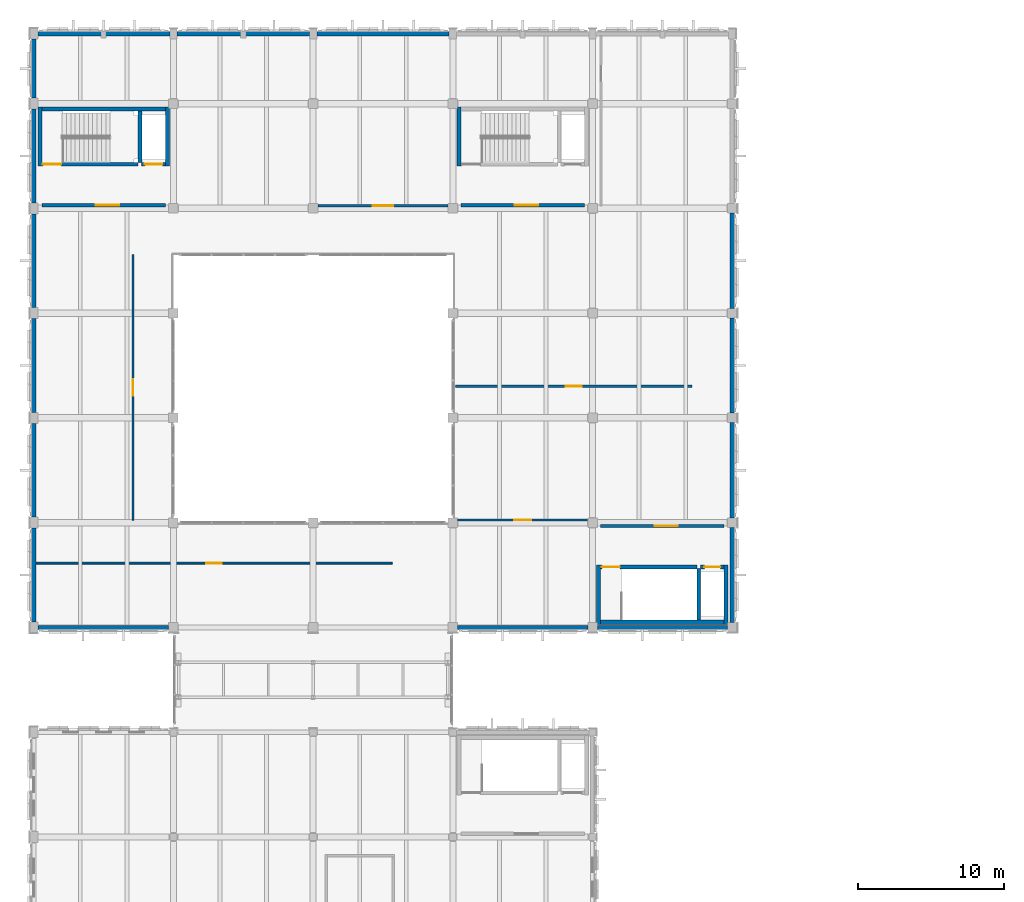
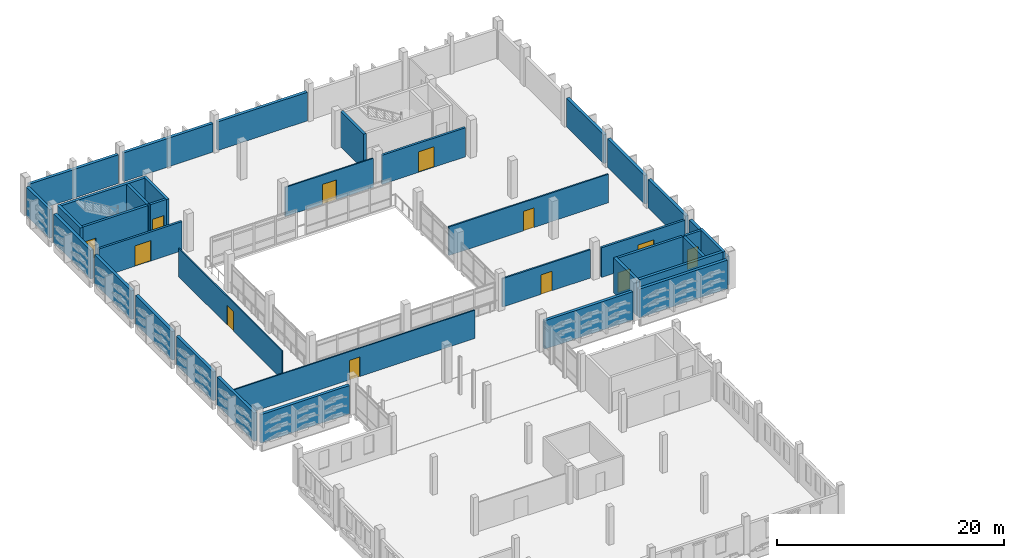
# One storey, part 56 of 72: 37 walls, 12 doors, 12 openings.
"""IFC4 building model written with IfcOpenShell, lengths in metres."""

from ifc_helpers import new_model, si_unit, direction, frame, frame_2d, origin, place, context, subcontext, project, spatial, rectangle, extrude, material, layer, layer_set, type_object, element, fill, save


model = new_model("IFC4")

# Units and contexts
model_context = context("Model", 3, precision=1e-05, world=origin(), true_north=direction((0.0, 1.0)))
body_context = subcontext(model_context, "Body", "Model", "MODEL_VIEW")
ifc_project = project(units=[si_unit("LENGTHUNIT", "METRE"), si_unit("AREAUNIT", "SQUARE_METRE"), si_unit("VOLUMEUNIT", "CUBIC_METRE"), si_unit("PLANEANGLEUNIT", "RADIAN"), si_unit("MASSUNIT", "GRAM", prefix="KILO")], contexts=[model_context])

# Site, building, storey
site_placement = place(None, origin())
site = spatial("IfcSite", under=ifc_project, at=site_placement, CompositionType="ELEMENT")
building_placement = place(site_placement, origin())
building = spatial("IfcBuilding", under=site, at=building_placement, Name="Asteropetra Specialist Clinic", CompositionType="ELEMENT")
storey_placement = place(building_placement, frame((0.0, 0.0, 12.580078125)))
storey = spatial("IfcBuildingStorey", under=building, at=storey_placement, Name="L03", CompositionType="ELEMENT", Elevation=12.580078125)

# Walls
ifc_material_1 = material(Name="Chevron terracotta mid", Category="masonry")
ifc_layer_1 = layer(ifc_material_1, 0.300048828125)
ifc_layer_set_1 = layer_set([ifc_layer_1], Name="Chevron terracotta mid")
wall_type_1 = type_object("IfcWallType", Name="EW-CHEV-TER-300", PredefinedType="SOLIDWALL", material=ifc_layer_set_1)
wall_1_placement = place(storey_placement, frame((0.27490234375, 69.60009765625, 0.0), z_axis=(0.0, 0.0, 1.0), x_axis=(1.0, 0.0, 0.0)))
element("IfcWall", 1, at=wall_1_placement, inside=storey, type_object=wall_type_1, Name="Exterior Wall EW-0107", PredefinedType="SOLIDWALL", context=body_context, shape_type="SweptSolid", body=[
    extrude(rectangle(XDim=9.0, YDim=0.300048828125, at=frame_2d((4.5, 0.0))), origin(), (0.0, 0.0, 1.0), 3.0498046875),
])
wall_2_placement = place(storey_placement, frame((9.35009765625, 110.39990234375, 0.0), z_axis=(0.0, 0.0, 1.0), x_axis=(-1.0, 0.0, 0.0)))
element("IfcWall", 2, at=wall_2_placement, inside=storey, type_object=wall_type_1, Name="Exterior Wall EW-0108", PredefinedType="SOLIDWALL", context=body_context, shape_type="SweptSolid", body=[
    extrude(rectangle(XDim=9.0751953125, YDim=0.300048828125, at=frame_2d((4.53759765625, 0.0))), origin(), (0.0, 0.0, 1.0), 3.079833984375),
])
wall_3_placement = place(storey_placement, frame((18.949951171875, 110.39990234375, 0.0), z_axis=(0.0, 0.0, 1.0), x_axis=(-1.0, 0.0, 0.0)))
element("IfcWall", 3, at=wall_3_placement, inside=storey, type_object=wall_type_1, Name="Exterior Wall EW-0109", PredefinedType="SOLIDWALL", context=body_context, shape_type="SweptSolid", body=[
    extrude(rectangle(XDim=9.099853515625, YDim=0.300048828125, at=frame_2d((4.5498046875, 0.0))), origin(), (0.0, 0.0, 1.0), 3.079833984375),
])
wall_4_placement = place(storey_placement, frame((28.550048828125, 110.39990234375, 0.0), z_axis=(0.0, 0.0, 1.0), x_axis=(-1.0, 0.0, 0.0)))
element("IfcWall", 4, at=wall_4_placement, inside=storey, type_object=wall_type_1, Name="Exterior Wall EW-0110", PredefinedType="SOLIDWALL", context=body_context, shape_type="SweptSolid", body=[
    extrude(rectangle(XDim=9.10009765625, YDim=0.300048828125, at=frame_2d((4.550048828125, 0.0))), origin(), (0.0, 0.0, 1.0), 3.079833984375),
])
wall_5_placement = place(storey_placement, frame((29.125, 69.60009765625, 0.0), z_axis=(0.0, 0.0, 1.0), x_axis=(1.0, 0.0, 0.0)))
element("IfcWall", 5, at=wall_5_placement, inside=storey, type_object=wall_type_1, Name="Exterior Wall EW-0111", PredefinedType="SOLIDWALL", context=body_context, shape_type="SweptSolid", body=[
    extrude(rectangle(XDim=8.949951171875, YDim=0.300048828125, at=frame_2d((4.47509765625, 0.0))), origin(), (0.0, 0.0, 1.0), 3.0498046875),
])
wall_6_placement = place(storey_placement, frame((38.72509765625, 69.60009765625, 0.0), z_axis=(0.0, 0.0, 1.0), x_axis=(1.0, 0.0, 0.0)))
element("IfcWall", 6, at=wall_6_placement, inside=storey, type_object=wall_type_1, Name="Exterior Wall EW-0113", PredefinedType="SOLIDWALL", context=body_context, shape_type="SweptSolid", body=[
    extrude(rectangle(XDim=8.949951171875, YDim=0.300048828125, at=frame_2d((4.47509765625, 0.0))), origin(), (0.0, 0.0, 1.0), 3.079833984375),
])
wall_7_placement = place(storey_placement, frame((0.0, 76.425048828125, 0.0), z_axis=(0.0, 0.0, 1.0), x_axis=(0.0, -1.0, 0.0)))
element("IfcWall", 7, at=wall_7_placement, inside=storey, type_object=wall_type_1, Name="Exterior Wall EW-0115", PredefinedType="SOLIDWALL", context=body_context, shape_type="SweptSolid", body=[
    extrude(rectangle(XDim=6.449951171875, YDim=0.300048828125, at=frame_2d((3.22509765625, 0.0))), origin(), (0.0, 0.0, 1.0), 3.0498046875),
])
wall_8_placement = place(storey_placement, frame((48.0, 69.925048828125, 0.0), z_axis=(0.0, 0.0, 1.0), x_axis=(0.0, 1.0, 0.0)))
element("IfcWall", 8, at=wall_8_placement, inside=storey, type_object=wall_type_1, Name="Exterior Wall EW-0116", PredefinedType="SOLIDWALL", context=body_context, shape_type="SweptSolid", body=[
    extrude(rectangle(XDim=6.550048828125, YDim=0.300048828125, at=frame_2d((3.27490234375, 0.0))), origin(), (0.0, 0.0, 1.0), 3.079833984375),
])
wall_9_placement = place(storey_placement, frame((0.0, 83.625, 0.0), z_axis=(0.0, 0.0, 1.0), x_axis=(0.0, -1.0, 0.0)))
element("IfcWall", 9, at=wall_9_placement, inside=storey, type_object=wall_type_1, Name="Exterior Wall EW-0117", PredefinedType="SOLIDWALL", context=body_context, shape_type="SweptSolid", body=[
    extrude(rectangle(XDim=6.449951171875, YDim=0.300048828125, at=frame_2d((3.22509765625, 0.0))), origin(), (0.0, 0.0, 1.0), 3.079833984375),
])
wall_10_placement = place(storey_placement, frame((48.0, 77.125, 0.0), z_axis=(0.0, 0.0, 1.0), x_axis=(0.0, 1.0, 0.0)))
element("IfcWall", 10, at=wall_10_placement, inside=storey, type_object=wall_type_1, Name="Exterior Wall EW-0118", PredefinedType="SOLIDWALL", context=body_context, shape_type="SweptSolid", body=[
    extrude(rectangle(XDim=6.550048828125, YDim=0.300048828125, at=frame_2d((3.27490234375, 0.0))), origin(), (0.0, 0.0, 1.0), 3.079833984375),
])
wall_11_placement = place(storey_placement, frame((0.0, 90.824951171875, 0.0), z_axis=(0.0, 0.0, 1.0), x_axis=(0.0, -1.0, 0.0)))
element("IfcWall", 11, at=wall_11_placement, inside=storey, type_object=wall_type_1, Name="Exterior Wall EW-0119", PredefinedType="SOLIDWALL", context=body_context, shape_type="SweptSolid", body=[
    extrude(rectangle(XDim=6.449951171875, YDim=0.300048828125, at=frame_2d((3.22509765625, 0.0))), origin(), (0.0, 0.0, 1.0), 3.079833984375),
])
wall_12_placement = place(storey_placement, frame((48.0, 84.324951171875, 0.0), z_axis=(0.0, 0.0, 1.0), x_axis=(0.0, 1.0, 0.0)))
element("IfcWall", 12, at=wall_12_placement, inside=storey, type_object=wall_type_1, Name="Exterior Wall EW-0120", PredefinedType="SOLIDWALL", context=body_context, shape_type="SweptSolid", body=[
    extrude(rectangle(XDim=6.550048828125, YDim=0.300048828125, at=frame_2d((3.27490234375, 0.0))), origin(), (0.0, 0.0, 1.0), 3.079833984375),
])
wall_13_placement = place(storey_placement, frame((0.0, 98.02490234375, 0.0), z_axis=(0.0, 0.0, 1.0), x_axis=(0.0, -1.0, 0.0)))
element("IfcWall", 13, at=wall_13_placement, inside=storey, type_object=wall_type_1, Name="Exterior Wall EW-0121", PredefinedType="SOLIDWALL", context=body_context, shape_type="SweptSolid", body=[
    extrude(rectangle(XDim=6.449951171875, YDim=0.300048828125, at=frame_2d((3.22509765625, 0.0))), origin(), (0.0, 0.0, 1.0), 3.079833984375),
])
wall_14_placement = place(storey_placement, frame((48.0, 91.52490234375, 0.0), z_axis=(0.0, 0.0, 1.0), x_axis=(0.0, 1.0, 0.0)))
element("IfcWall", 14, at=wall_14_placement, inside=storey, type_object=wall_type_1, Name="Exterior Wall EW-0122", PredefinedType="SOLIDWALL", context=body_context, shape_type="SweptSolid", body=[
    extrude(rectangle(XDim=6.550048828125, YDim=0.300048828125, at=frame_2d((3.27490234375, 0.0))), origin(), (0.0, 0.0, 1.0), 3.079833984375),
])
wall_15_placement = place(storey_placement, frame((0.0, 105.22509765625, 0.0), z_axis=(0.0, 0.0, 1.0), x_axis=(0.0, -1.0, 0.0)))
element("IfcWall", 15, at=wall_15_placement, inside=storey, type_object=wall_type_1, Name="Exterior Wall EW-0123", PredefinedType="SOLIDWALL", context=body_context, shape_type="SweptSolid", body=[
    extrude(rectangle(XDim=6.4501953125, YDim=0.300048828125, at=frame_2d((3.22509765625, 0.0))), origin(), (0.0, 0.0, 1.0), 3.079833984375),
])
wall_16_placement = place(storey_placement, frame((0.0, 110.02490234375, 0.0), z_axis=(0.0, 0.0, 1.0), x_axis=(0.0, -1.0, 0.0)))
element("IfcWall", 16, at=wall_16_placement, inside=storey, type_object=wall_type_1, Name="Exterior Wall EW-0125", PredefinedType="SOLIDWALL", context=body_context, shape_type="SweptSolid", body=[
    extrude(rectangle(XDim=4.0498046875, YDim=0.300048828125, at=frame_2d((2.02490234375, 0.0))), origin(), (0.0, 0.0, 1.0), 3.079833984375),
])

# Wall, opening, door
ifc_material_2 = material(Name="Fire-rated masonry and gypsum", Category="masonry")
ifc_layer_2 = layer(ifc_material_2, 0.219970703125)
ifc_layer_set_2 = layer_set([ifc_layer_2], Name="Fire-rated masonry and gypsum")
wall_type_2 = type_object("IfcWallType", Name="W-COMP-220", PredefinedType="PARTITIONING", material=ifc_layer_set_2)
wall_17_placement = place(storey_placement, frame((0.56005859375, 98.6201171875, 0.0), z_axis=(0.0, 0.0, 1.0), x_axis=(1.0, 0.0, 0.0)))
wall_17 = element("IfcWall", 17, at=wall_17_placement, inside=storey, type_object=wall_type_2, Name="Core Wall CW-C1-L03-LOB", PredefinedType="PARTITIONING", context=body_context, shape_type="SweptSolid", body=[
    extrude(rectangle(XDim=8.47998046875, YDim=0.219970703125, at=frame_2d((4.239990234375, 0.0))), origin(), (0.0, 0.0, 1.0), 3.1298828125),
])
opening_1_placement = place(wall_17_placement, frame((3.699951171875, 0.0, 0.0)))
opening_1 = element("IfcOpeningElement", 18, at=opening_1_placement, cuts=wall_17, Name="Opening FD-008", PredefinedType="OPENING", context=body_context, shape_type="SweptSolid", body=[
    extrude(rectangle(XDim=1.60009765625, YDim=2.199951171875, at=frame_2d((0.800048828125, 1.10009765625))), frame((0.0, 0.119873046875, 0.0), z_axis=(0.0, -1.0, 0.0), x_axis=(1.0, 0.0, 0.0)), (0.0, 0.0, 1.0), 0.239990234375),
])
ifc_material_3 = material(Name="Fire-rated steel and vision glass door", Category="steel")
door_type_1 = type_object("IfcDoorType", Name="FD-LOBBY-1600", OperationType="DOUBLE_DOOR_SINGLE_SWING", PredefinedType="DOOR", material=ifc_material_3)
door_1_placement = place(opening_1_placement, origin())
door_1 = element("IfcDoor", 19, at=door_1_placement, inside=storey, type_object=door_type_1, Name="Lobby Fire Door FD-008", OperationType="DOUBLE_DOOR_SINGLE_SWING", OverallHeight=2.199951171875, OverallWidth=1.60009765625, PredefinedType="DOOR", context=body_context, shape_type="SweptSolid", body=[
    extrude(rectangle(XDim=1.60009765625, YDim=2.199951171875, at=frame_2d((0.800048828125, 1.10009765625))), frame((0.0, 0.02490234375, 0.0), z_axis=(0.0, -1.0, 0.0), x_axis=(1.0, 0.0, 0.0)), (0.0, 0.0, 1.0), 0.050048828125),
])
fill(opening_1, door_1)

wall_18_placement = place(storey_placement, frame((29.360107421875, 98.6201171875, 0.0), z_axis=(0.0, 0.0, 1.0), x_axis=(1.0, 0.0, 0.0)))
wall_18 = element("IfcWall", 20, at=wall_18_placement, inside=storey, type_object=wall_type_2, Name="Core Wall CW-C2-L03-LOB", PredefinedType="PARTITIONING", context=body_context, shape_type="SweptSolid", body=[
    extrude(rectangle(XDim=8.47998046875, YDim=0.219970703125, at=frame_2d((4.239990234375, 0.0))), origin(), (0.0, 0.0, 1.0), 3.1298828125),
])
opening_2_placement = place(wall_18_placement, frame((3.699951171875, 0.0, 0.0)))
opening_2 = element("IfcOpeningElement", 21, at=opening_2_placement, cuts=wall_18, Name="Opening FD-020", PredefinedType="OPENING", context=body_context, shape_type="SweptSolid", body=[
    extrude(rectangle(XDim=1.60009765625, YDim=2.199951171875, at=frame_2d((0.800048828125, 1.10009765625))), frame((0.0, 0.119873046875, 0.0), z_axis=(0.0, -1.0, 0.0), x_axis=(1.0, 0.0, 0.0)), (0.0, 0.0, 1.0), 0.239990234375),
])
door_2_placement = place(opening_2_placement, origin())
door_2 = element("IfcDoor", 22, at=door_2_placement, inside=storey, type_object=door_type_1, Name="Lobby Fire Door FD-020", OperationType="DOUBLE_DOOR_SINGLE_SWING", OverallHeight=2.199951171875, OverallWidth=1.60009765625, PredefinedType="DOOR", context=body_context, shape_type="SweptSolid", body=[
    extrude(rectangle(XDim=1.60009765625, YDim=2.199951171875, at=frame_2d((0.800048828125, 1.10009765625))), frame((0.0, 0.02490234375, 0.0), z_axis=(0.0, -1.0, 0.0), x_axis=(1.0, 0.0, 0.0)), (0.0, 0.0, 1.0), 0.050048828125),
])
fill(opening_2, door_2)

wall_19_placement = place(storey_placement, frame((38.9599609375, 76.580078125, 0.0), z_axis=(0.0, 0.0, 1.0), x_axis=(1.0, 0.0, 0.0)))
wall_19 = element("IfcWall", 23, at=wall_19_placement, inside=storey, type_object=wall_type_2, Name="Core Wall CW-C3-L03-LOB", PredefinedType="PARTITIONING", context=body_context, shape_type="SweptSolid", body=[
    extrude(rectangle(XDim=8.47998046875, YDim=0.219970703125, at=frame_2d((4.239990234375, 0.0))), origin(), (0.0, 0.0, 1.0), 3.18994140625),
])
opening_3_placement = place(wall_19_placement, frame((3.699951171875, 0.0, 0.0)))
opening_3 = element("IfcOpeningElement", 24, at=opening_3_placement, cuts=wall_19, Name="Opening FD-032", PredefinedType="OPENING", context=body_context, shape_type="SweptSolid", body=[
    extrude(rectangle(XDim=1.60009765625, YDim=2.199951171875, at=frame_2d((0.800048828125, 1.10009765625))), frame((0.0, 0.119873046875, 0.0), z_axis=(0.0, -1.0, 0.0), x_axis=(1.0, 0.0, 0.0)), (0.0, 0.0, 1.0), 0.239990234375),
])
door_3_placement = place(opening_3_placement, origin())
door_3 = element("IfcDoor", 25, at=door_3_placement, inside=storey, type_object=door_type_1, Name="Lobby Fire Door FD-032", OperationType="DOUBLE_DOOR_SINGLE_SWING", OverallHeight=2.199951171875, OverallWidth=1.60009765625, PredefinedType="DOOR", context=body_context, shape_type="SweptSolid", body=[
    extrude(rectangle(XDim=1.60009765625, YDim=2.199951171875, at=frame_2d((0.800048828125, 1.10009765625))), frame((0.0, 0.02490234375, 0.0), z_axis=(0.0, -1.0, 0.0), x_axis=(1.0, 0.0, 0.0)), (0.0, 0.0, 1.0), 0.050048828125),
])
fill(opening_3, door_3)

# Walls
ifc_material_4 = material(Name="Concrete C35/45", Category="concrete")
ifc_layer_3 = layer(ifc_material_4, 0.280029296875)
ifc_layer_set_3 = layer_set([ifc_layer_3], Name="Concrete C35/45")
wall_type_3 = type_object("IfcWallType", Name="W-CORE-280", PredefinedType="SHEAR", material=ifc_layer_set_3)
for number, where, z_axis, x_axis, name in (
    (26, (0.419921875, 101.300048828125, 0.0), (0.0, 0.0, 1.0), (0.0, 1.0, 0.0), "Core Wall CW-C1-L03-W"),
    (27, (9.179931640625, 101.300048828125, 0.0), (0.0, 0.0, 1.0), (0.0, 1.0, 0.0), "Core Wall CW-C1-L03-E"),
):
    element("IfcWall", number, at=place(storey_placement, frame(where, z_axis=z_axis, x_axis=x_axis)), inside=storey, type_object=wall_type_3, Name=name, PredefinedType="SHEAR", context=body_context, shape_type="SweptSolid", body=[
        extrude(rectangle(XDim=4.079833984375, YDim=0.280029296875, at=frame_2d((2.0400390625, 0.0))), origin(), (0.0, 0.0, 1.0), 3.7998046875),
    ])
wall_20_placement = place(storey_placement, frame((0.554931640625, 105.239990234375, 0.0), z_axis=(0.0, 0.0, 1.0), x_axis=(1.0, 0.0, 0.0)))
element("IfcWall", 28, at=wall_20_placement, inside=storey, type_object=wall_type_3, Name="Core Wall CW-C1-L03-BACK", PredefinedType="SHEAR", context=body_context, shape_type="SweptSolid", body=[
    extrude(rectangle(XDim=8.489990234375, YDim=0.280029296875, at=frame_2d((4.2451171875, 0.0))), origin(), (0.0, 0.0, 1.0), 3.7998046875),
])
for number, where, z_axis, x_axis, name in (
    (29, (29.219970703125, 101.300048828125, 0.0), (0.0, 0.0, 1.0), (0.0, 1.0, 0.0), "Core Wall CW-C2-L03-W"),
    (30, (38.820068359375, 69.820068359375, 0.0), (0.0, 0.0, 1.0), (0.0, 1.0, 0.0), "Core Wall CW-C3-L03-W"),
    (31, (47.580078125, 69.820068359375, 0.0), (0.0, 0.0, 1.0), (0.0, 1.0, 0.0), "Core Wall CW-C3-L03-E"),
):
    element("IfcWall", number, at=place(storey_placement, frame(where, z_axis=z_axis, x_axis=x_axis)), inside=storey, type_object=wall_type_3, Name=name, PredefinedType="SHEAR", context=body_context, shape_type="SweptSolid", body=[
        extrude(rectangle(XDim=4.079833984375, YDim=0.280029296875, at=frame_2d((2.0400390625, 0.0))), origin(), (0.0, 0.0, 1.0), 3.7998046875),
    ])
wall_21_placement = place(storey_placement, frame((38.955078125, 69.9599609375, 0.0), z_axis=(0.0, 0.0, 1.0), x_axis=(1.0, 0.0, 0.0)))
element("IfcWall", 32, at=wall_21_placement, inside=storey, type_object=wall_type_3, Name="Core Wall CW-C3-L03-BACK", PredefinedType="SHEAR", context=body_context, shape_type="SweptSolid", body=[
    extrude(rectangle(XDim=8.489990234375, YDim=0.280029296875, at=frame_2d((4.2451171875, 0.0))), origin(), (0.0, 0.0, 1.0), 3.7998046875),
])

# Wall, opening, door
ifc_material_5 = material(Name="Light partition", Category="masonry")
ifc_layer_4 = layer(ifc_material_5, 0.1201171875)
ifc_layer_set_4 = layer_set([ifc_layer_4], Name="Light partition")
wall_type_4 = type_object("IfcWallType", Name="W-PART-120", PredefinedType="PARTITIONING", material=ifc_layer_set_4)
wall_22_placement = place(storey_placement, frame((6.820068359375, 76.97998046875, 0.0), z_axis=(0.0, 0.0, 1.0), x_axis=(0.0, 1.0, 0.0)))
wall_22 = element("IfcWall", 33, at=wall_22_placement, inside=storey, type_object=wall_type_4, Name="Interior Partition PW-0149", PredefinedType="PARTITIONING", context=body_context, shape_type="SweptSolid", body=[
    extrude(rectangle(XDim=18.239990234375, YDim=0.1201171875, at=frame_2d((9.1201171875, 0.0))), origin(), (0.0, 0.0, 1.0), 3.0498046875),
])
opening_4_placement = place(wall_22_placement, frame((8.56005859375, 0.0, 0.0)))
opening_4 = element("IfcOpeningElement", 34, at=opening_4_placement, cuts=wall_22, Name="Opening ID-0097", PredefinedType="OPENING", context=body_context, shape_type="SweptSolid", body=[
    extrude(rectangle(XDim=1.1201171875, YDim=2.10009765625, at=frame_2d((0.56005859375, 1.050048828125))), frame((0.0, 0.070068359375, 0.0), z_axis=(0.0, -1.0, 0.0), x_axis=(1.0, 0.0, 0.0)), (0.0, 0.0, 1.0), 0.14013671875),
])
ifc_material_6 = material(Name="Antimicrobial laminate timber leaf in steel frame", Category="steel")
door_type_2 = type_object("IfcDoorType", Name="ID-EXAM-1120", OperationType="SINGLE_SWING_RIGHT", PredefinedType="DOOR", material=ifc_material_6)
door_4_placement = place(opening_4_placement, origin())
door_4 = element("IfcDoor", 35, at=door_4_placement, inside=storey, type_object=door_type_2, Name="Interior Door ID-0097", OperationType="SINGLE_SWING_RIGHT", OverallHeight=2.10009765625, OverallWidth=1.1201171875, PredefinedType="DOOR", context=body_context, shape_type="SweptSolid", body=[
    extrude(rectangle(XDim=1.1201171875, YDim=2.10009765625, at=frame_2d((0.56005859375, 1.050048828125))), frame((0.0, 0.02490234375, 0.0), z_axis=(0.0, -1.0, 0.0), x_axis=(1.0, 0.0, 0.0)), (0.0, 0.0, 1.0), 0.050048828125),
])
fill(opening_4, door_4)

ifc_material_7 = material(Name="Office and seminar partition", Category="masonry")
ifc_layer_5 = layer(ifc_material_7, 0.1298828125)
ifc_layer_set_5 = layer_set([ifc_layer_5], Name="Office and seminar partition")
wall_type_5 = type_object("IfcWallType", Name="W-PART-130", PredefinedType="PARTITIONING", material=ifc_layer_set_5)
wall_23_placement = place(storey_placement, frame((0.152099609375, 74.02001953125, 0.0), z_axis=(0.0, 0.0, 1.0), x_axis=(1.0, 0.0, 0.0)))
wall_23 = element("IfcWall", 36, at=wall_23_placement, inside=storey, type_object=wall_type_5, Name="Interior Partition PW-0148", PredefinedType="PARTITIONING", context=body_context, shape_type="SweptSolid", body=[
    extrude(rectangle(XDim=24.468017578125, YDim=0.1298828125, at=frame_2d((12.23388671875, 0.0))), origin(), (0.0, 0.0, 1.0), 3.0498046875),
])
opening_5_placement = place(wall_23_placement, frame((11.694091796875, 0.0, 0.0)))
opening_5 = element("IfcOpeningElement", 37, at=opening_5_placement, cuts=wall_23, Name="Opening ID-0096", PredefinedType="OPENING", context=body_context, shape_type="SweptSolid", body=[
    extrude(rectangle(XDim=1.080078125, YDim=2.10009765625, at=frame_2d((0.5400390625, 1.050048828125))), frame((0.0, 0.074951171875, 0.0), z_axis=(0.0, -1.0, 0.0), x_axis=(1.0, 0.0, 0.0)), (0.0, 0.0, 1.0), 0.14990234375),
])
ifc_material_8 = material(Name="Antimicrobial laminate timber leaf in steel frame", Category="steel")
door_type_3 = type_object("IfcDoorType", Name="ID-EXAM-1080", OperationType="SINGLE_SWING_LEFT", PredefinedType="DOOR", material=ifc_material_8)
door_5_placement = place(opening_5_placement, origin())
door_5 = element("IfcDoor", 38, at=door_5_placement, inside=storey, type_object=door_type_3, Name="Interior Door ID-0096", OperationType="SINGLE_SWING_LEFT", OverallHeight=2.10009765625, OverallWidth=1.080078125, PredefinedType="DOOR", context=body_context, shape_type="SweptSolid", body=[
    extrude(rectangle(XDim=1.080078125, YDim=2.10009765625, at=frame_2d((0.5400390625, 1.050048828125))), frame((0.0, 0.02490234375, 0.0), z_axis=(0.0, -1.0, 0.0), x_axis=(1.0, 0.0, 0.0)), (0.0, 0.0, 1.0), 0.050048828125),
])
fill(opening_5, door_5)

ifc_material_9 = material(Name="Laboratory partition", Category="masonry")
ifc_layer_6 = layer(ifc_material_9, 0.139892578125)
ifc_layer_set_6 = layer_set([ifc_layer_6], Name="Laboratory partition")
wall_type_6 = type_object("IfcWallType", Name="W-PART-140", PredefinedType="PARTITIONING", material=ifc_layer_set_6)
wall_24_placement = place(storey_placement, frame((19.530029296875, 98.580078125, 0.0), z_axis=(0.0, 0.0, 1.0), x_axis=(1.0, 0.0, 0.0)))
wall_24 = element("IfcWall", 39, at=wall_24_placement, inside=storey, type_object=wall_type_6, Name="Interior Partition PW-0152", PredefinedType="PARTITIONING", context=body_context, shape_type="SweptSolid", body=[
    extrude(rectangle(XDim=8.93994140625, YDim=0.139892578125, at=frame_2d((4.469970703125, 0.0))), origin(), (0.0, 0.0, 1.0), 3.119873046875),
])
opening_6_placement = place(wall_24_placement, frame((3.77001953125, 0.0, 0.0)))
opening_6 = element("IfcOpeningElement", 40, at=opening_6_placement, cuts=wall_24, Name="Opening ID-0100", PredefinedType="OPENING", context=body_context, shape_type="SweptSolid", body=[
    extrude(rectangle(XDim=1.39990234375, YDim=2.1201171875, at=frame_2d((0.699951171875, 1.06005859375))), frame((0.0, 0.079833984375, 0.0), z_axis=(0.0, -1.0, 0.0), x_axis=(1.0, 0.0, 0.0)), (0.0, 0.0, 1.0), 0.159912109375),
])
ifc_material_10 = material(Name="Antimicrobial laminate timber leaf in steel frame", Category="steel")
door_type_4 = type_object("IfcDoorType", Name="ID-WARD-1400", OperationType="NOTDEFINED", PredefinedType="DOOR", material=ifc_material_10)
door_6_placement = place(opening_6_placement, origin())
door_6 = element("IfcDoor", 41, at=door_6_placement, inside=storey, type_object=door_type_4, Name="Interior Door ID-0100", OperationType="SINGLE_SWING_LEFT", OverallHeight=2.1201171875, OverallWidth=1.39990234375, PredefinedType="DOOR", context=body_context, shape_type="SweptSolid", body=[
    extrude(rectangle(XDim=1.39990234375, YDim=2.1201171875, at=frame_2d((0.699951171875, 1.06005859375))), frame((0.0, 0.02490234375, 0.0), z_axis=(0.0, -1.0, 0.0), x_axis=(1.0, 0.0, 0.0)), (0.0, 0.0, 1.0), 0.050048828125),
])
fill(opening_6, door_6)

ifc_material_11 = material(Name="Clinical consulting partition", Category="masonry")
ifc_layer_7 = layer(ifc_material_11, 0.14990234375)
ifc_layer_set_7 = layer_set([ifc_layer_7], Name="Clinical consulting partition")
wall_type_7 = type_object("IfcWallType", Name="W-PART-150", PredefinedType="PARTITIONING", material=ifc_layer_set_7)
wall_25_placement = place(storey_placement, frame((28.97998046875, 86.179931640625, 0.0), z_axis=(0.0, 0.0, 1.0), x_axis=(1.0, 0.0, 0.0)))
wall_25 = element("IfcWall", 42, at=wall_25_placement, inside=storey, type_object=wall_type_7, Name="Interior Partition PW-0151", PredefinedType="PARTITIONING", context=body_context, shape_type="SweptSolid", body=[
    extrude(rectangle(XDim=16.239990234375, YDim=0.14990234375, at=frame_2d((8.1201171875, 0.0))), origin(), (0.0, 0.0, 1.0), 3.079833984375),
])
opening_7_placement = place(wall_25_placement, frame((7.570068359375, 0.0, 0.0)))
opening_7 = element("IfcOpeningElement", 43, at=opening_7_placement, cuts=wall_25, Name="Opening ID-0099", PredefinedType="OPENING", context=body_context, shape_type="SweptSolid", body=[
    extrude(rectangle(XDim=1.10009765625, YDim=2.10009765625, at=frame_2d((0.550048828125, 1.050048828125))), frame((0.0, 0.0849609375, 0.0), z_axis=(0.0, -1.0, 0.0), x_axis=(1.0, 0.0, 0.0)), (0.0, 0.0, 1.0), 0.169921875),
])
ifc_material_12 = material(Name="Antimicrobial laminate timber leaf in steel frame", Category="steel")
door_type_5 = type_object("IfcDoorType", Name="ID-CONS-1100", OperationType="SINGLE_SWING_RIGHT", PredefinedType="DOOR", material=ifc_material_12)
door_7_placement = place(opening_7_placement, origin())
door_7 = element("IfcDoor", 44, at=door_7_placement, inside=storey, type_object=door_type_5, Name="Interior Door ID-0099", OperationType="SINGLE_SWING_RIGHT", OverallHeight=2.10009765625, OverallWidth=1.10009765625, PredefinedType="DOOR", context=body_context, shape_type="SweptSolid", body=[
    extrude(rectangle(XDim=1.10009765625, YDim=2.10009765625, at=frame_2d((0.550048828125, 1.050048828125))), frame((0.0, 0.02490234375, 0.0), z_axis=(0.0, -1.0, 0.0), x_axis=(1.0, 0.0, 0.0)), (0.0, 0.0, 1.0), 0.050048828125),
])
fill(opening_7, door_7)

ifc_material_13 = material(Name="Acoustic clinical stud partition", Category="masonry")
ifc_layer_8 = layer(ifc_material_13, 0.159912109375)
ifc_layer_set_8 = layer_set([ifc_layer_8], Name="Acoustic clinical stud partition")
wall_type_8 = type_object("IfcWallType", Name="W-PART-160", PredefinedType="PARTITIONING", material=ifc_layer_set_8)
wall_26_placement = place(storey_placement, frame((29.1298828125, 76.97998046875, 0.0), z_axis=(0.0, 0.0, 1.0), x_axis=(1.0, 0.0, 0.0)))
wall_26 = element("IfcWall", 45, at=wall_26_placement, inside=storey, type_object=wall_type_8, Name="Interior Partition PW-0150", PredefinedType="PARTITIONING", context=body_context, shape_type="SweptSolid", body=[
    extrude(rectangle(XDim=8.940185546875, YDim=0.159912109375, at=frame_2d((4.47021484375, 0.0))), origin(), (0.0, 0.0, 1.0), 3.0498046875),
])
opening_8_placement = place(wall_26_placement, frame((3.89501953125, 0.0, 0.0)))
opening_8 = element("IfcOpeningElement", 46, at=opening_8_placement, cuts=wall_26, Name="Opening ID-0098", PredefinedType="OPENING", context=body_context, shape_type="SweptSolid", body=[
    extrude(rectangle(XDim=1.14990234375, YDim=2.10009765625, at=frame_2d((0.574951171875, 1.050048828125))), frame((0.0, 0.08984375, 0.0), z_axis=(0.0, -1.0, 0.0), x_axis=(1.0, 0.0, 0.0)), (0.0, 0.0, 1.0), 0.179931640625),
])
ifc_material_14 = material(Name="Antimicrobial laminate timber leaf in steel frame", Category="steel")
door_type_6 = type_object("IfcDoorType", Name="ID-CONS-1150", OperationType="SINGLE_SWING_LEFT", PredefinedType="DOOR", material=ifc_material_14)
door_8_placement = place(opening_8_placement, origin())
door_8 = element("IfcDoor", 47, at=door_8_placement, inside=storey, type_object=door_type_6, Name="Interior Door ID-0098", OperationType="SINGLE_SWING_LEFT", OverallHeight=2.10009765625, OverallWidth=1.14990234375, PredefinedType="DOOR", context=body_context, shape_type="SweptSolid", body=[
    extrude(rectangle(XDim=1.14990234375, YDim=2.10009765625, at=frame_2d((0.574951171875, 1.050048828125))), frame((0.0, 0.02490234375, 0.0), z_axis=(0.0, -1.0, 0.0), x_axis=(1.0, 0.0, 0.0)), (0.0, 0.0, 1.0), 0.050048828125),
])
fill(opening_8, door_8)

# Wall
ifc_material_15 = material(Name="Concrete C35/45", Category="concrete")
ifc_layer_9 = layer(ifc_material_15, 0.25)
ifc_layer_set_9 = layer_set([ifc_layer_9], Name="Concrete C35/45")
wall_type_9 = type_object("IfcWallType", Name="W-SHAFT-250", PredefinedType="SHEAR", material=ifc_layer_set_9)
wall_27_placement = place(storey_placement, frame((7.300048828125, 101.56005859375, 0.0), z_axis=(0.0, 0.0, 1.0), x_axis=(0.0, 1.0, 0.0)))
element("IfcWall", 48, at=wall_27_placement, inside=storey, type_object=wall_type_9, Name="Core Wall CW-C1-L03-MID", PredefinedType="SHEAR", context=body_context, shape_type="SweptSolid", body=[
    extrude(rectangle(XDim=3.5400390625, YDim=0.25, at=frame_2d((1.77001953125, 0.0))), origin(), (0.0, 0.0, 1.0), 3.7998046875),
])

# Wall, opening, door
wall_28_placement = place(storey_placement, frame((0.554931640625, 101.43994140625, 0.0), z_axis=(0.0, 0.0, 1.0), x_axis=(1.0, 0.0, 0.0)))
wall_28 = element("IfcWall", 49, at=wall_28_placement, inside=storey, type_object=wall_type_9, Name="Core Wall CW-C1-L03-STDIV", PredefinedType="SHEAR", context=body_context, shape_type="SweptSolid", body=[
    extrude(rectangle(XDim=6.625, YDim=0.25, at=frame_2d((3.3125, 0.0))), origin(), (0.0, 0.0, 1.0), 3.7998046875),
])
opening_9_placement = place(wall_28_placement, frame((0.080078125, 0.0, 0.0)))
opening_9 = element("IfcOpeningElement", 50, at=opening_9_placement, cuts=wall_28, Name="Opening FD-007", PredefinedType="OPENING", context=body_context, shape_type="SweptSolid", body=[
    extrude(rectangle(XDim=1.239990234375, YDim=2.14990234375, at=frame_2d((0.6201171875, 1.074951171875))), frame((0.0, 0.135009765625, 0.0), z_axis=(0.0, -1.0, 0.0), x_axis=(1.0, 0.0, 0.0)), (0.0, 0.0, 1.0), 0.27001953125),
])
ifc_material_16 = material(Name="Fire-rated steel and vision glass door", Category="steel")
door_type_7 = type_object("IfcDoorType", Name="FD-STAIR-1400", OperationType="DOUBLE_DOOR_SINGLE_SWING", PredefinedType="DOOR", material=ifc_material_16)
door_9_placement = place(opening_9_placement, origin())
door_9 = element("IfcDoor", 51, at=door_9_placement, inside=storey, type_object=door_type_7, Name="Stair Fire Door FD-007", OperationType="DOUBLE_DOOR_SINGLE_SWING", OverallHeight=2.14990234375, OverallWidth=1.239990234375, PredefinedType="DOOR", context=body_context, shape_type="SweptSolid", body=[
    extrude(rectangle(XDim=1.239990234375, YDim=2.14990234375, at=frame_2d((0.6201171875, 1.074951171875))), frame((0.0, 0.02490234375, 0.0), z_axis=(0.0, -1.0, 0.0), x_axis=(1.0, 0.0, 0.0)), (0.0, 0.0, 1.0), 0.050048828125),
])
fill(opening_9, door_9)

wall_29_placement = place(storey_placement, frame((7.419921875, 101.43994140625, 0.0), z_axis=(0.0, 0.0, 1.0), x_axis=(1.0, 0.0, 0.0)))
wall_29 = element("IfcWall", 52, at=wall_29_placement, inside=storey, type_object=wall_type_9, Name="Lift Shaft Front Wall CW-C1-L03-LFTF", PredefinedType="SHEAR", context=body_context, shape_type="SweptSolid", body=[
    extrude(rectangle(XDim=1.625, YDim=0.25, at=frame_2d((0.8125, 0.0))), origin(), (0.0, 0.0, 1.0), 3.7998046875),
])
opening_10_placement = place(wall_29_placement, frame((0.21240234375, 0.0, 0.0)))
opening_10 = element("IfcOpeningElement", 53, at=opening_10_placement, cuts=wall_29, Name="Opening LD-004", PredefinedType="OPENING", context=body_context, shape_type="SweptSolid", body=[
    extrude(rectangle(XDim=1.199951171875, YDim=2.14990234375, at=frame_2d((0.60009765625, 1.074951171875))), frame((0.0, 0.135009765625, 0.0), z_axis=(0.0, -1.0, 0.0), x_axis=(1.0, 0.0, 0.0)), (0.0, 0.0, 1.0), 0.27001953125),
])
ifc_material_17 = material(Name="Brushed stainless steel sliding lift landing door", Category="steel")
door_type_8 = type_object("IfcDoorType", Name="LD-FF-1200", OperationType="DOUBLE_DOOR_SLIDING", PredefinedType="DOOR", material=ifc_material_17)
door_10_placement = place(opening_10_placement, origin())
door_10 = element("IfcDoor", 54, at=door_10_placement, inside=storey, type_object=door_type_8, Name="Lift Landing Door LD-004", OperationType="DOUBLE_DOOR_SLIDING", OverallHeight=2.14990234375, OverallWidth=1.199951171875, PredefinedType="DOOR", context=body_context, shape_type="SweptSolid", body=[
    extrude(rectangle(XDim=1.199951171875, YDim=2.14990234375, at=frame_2d((0.60009765625, 1.074951171875))), frame((0.0, 0.02490234375, 0.0), z_axis=(0.0, -1.0, 0.0), x_axis=(1.0, 0.0, 0.0)), (0.0, 0.0, 1.0), 0.050048828125),
])
fill(opening_10, door_10)

# Wall
wall_30_placement = place(storey_placement, frame((45.699951171875, 70.10009765625, 0.0), z_axis=(0.0, 0.0, 1.0), x_axis=(0.0, 1.0, 0.0)))
element("IfcWall", 55, at=wall_30_placement, inside=storey, type_object=wall_type_9, Name="Core Wall CW-C3-L03-MID", PredefinedType="SHEAR", context=body_context, shape_type="SweptSolid", body=[
    extrude(rectangle(XDim=3.539794921875, YDim=0.25, at=frame_2d((1.77001953125, 0.0))), origin(), (0.0, 0.0, 1.0), 3.7998046875),
])

# Wall, opening, door
wall_31_placement = place(storey_placement, frame((38.955078125, 73.760009765625, 0.0), z_axis=(0.0, 0.0, 1.0), x_axis=(1.0, 0.0, 0.0)))
wall_31 = element("IfcWall", 56, at=wall_31_placement, inside=storey, type_object=wall_type_9, Name="Core Wall CW-C3-L03-STDIV", PredefinedType="SHEAR", context=body_context, shape_type="SweptSolid", body=[
    extrude(rectangle(XDim=6.625, YDim=0.25, at=frame_2d((3.3125, 0.0))), origin(), (0.0, 0.0, 1.0), 3.7998046875),
])
opening_11_placement = place(wall_31_placement, frame((0.080078125, 0.0, 0.0)))
opening_11 = element("IfcOpeningElement", 57, at=opening_11_placement, cuts=wall_31, Name="Opening FD-031", PredefinedType="OPENING", context=body_context, shape_type="SweptSolid", body=[
    extrude(rectangle(XDim=1.239990234375, YDim=2.14990234375, at=frame_2d((0.6201171875, 1.074951171875))), frame((0.0, 0.135009765625, 0.0), z_axis=(0.0, -1.0, 0.0), x_axis=(1.0, 0.0, 0.0)), (0.0, 0.0, 1.0), 0.27001953125),
])
door_11_placement = place(opening_11_placement, origin())
door_11 = element("IfcDoor", 58, at=door_11_placement, inside=storey, type_object=door_type_7, Name="Stair Fire Door FD-031", OperationType="DOUBLE_DOOR_SINGLE_SWING", OverallHeight=2.14990234375, OverallWidth=1.239990234375, PredefinedType="DOOR", context=body_context, shape_type="SweptSolid", body=[
    extrude(rectangle(XDim=1.239990234375, YDim=2.14990234375, at=frame_2d((0.6201171875, 1.074951171875))), frame((0.0, 0.02490234375, 0.0), z_axis=(0.0, -1.0, 0.0), x_axis=(1.0, 0.0, 0.0)), (0.0, 0.0, 1.0), 0.050048828125),
])
fill(opening_11, door_11)

wall_32_placement = place(storey_placement, frame((45.820068359375, 73.760009765625, 0.0), z_axis=(0.0, 0.0, 1.0), x_axis=(1.0, 0.0, 0.0)))
wall_32 = element("IfcWall", 59, at=wall_32_placement, inside=storey, type_object=wall_type_9, Name="Lift Shaft Front Wall CW-C3-L03-LFTF", PredefinedType="SHEAR", context=body_context, shape_type="SweptSolid", body=[
    extrude(rectangle(XDim=1.625, YDim=0.25, at=frame_2d((0.8125, 0.0))), origin(), (0.0, 0.0, 1.0), 3.7998046875),
])
opening_12_placement = place(wall_32_placement, frame((0.262451171875, 0.0, 0.0)))
opening_12 = element("IfcOpeningElement", 60, at=opening_12_placement, cuts=wall_32, Name="Opening LD-016", PredefinedType="OPENING", context=body_context, shape_type="SweptSolid", body=[
    extrude(rectangle(XDim=1.10009765625, YDim=2.14990234375, at=frame_2d((0.550048828125, 1.074951171875))), frame((0.0, 0.135009765625, 0.0), z_axis=(0.0, -1.0, 0.0), x_axis=(1.0, 0.0, 0.0)), (0.0, 0.0, 1.0), 0.27001953125),
])
ifc_material_18 = material(Name="Brushed stainless steel sliding lift landing door", Category="steel")
door_type_9 = type_object("IfcDoorType", Name="LD-PASS-1100", OperationType="DOUBLE_DOOR_SLIDING", PredefinedType="DOOR", material=ifc_material_18)
door_12_placement = place(opening_12_placement, origin())
door_12 = element("IfcDoor", 61, at=door_12_placement, inside=storey, type_object=door_type_9, Name="Lift Landing Door LD-016", OperationType="DOUBLE_DOOR_SLIDING", OverallHeight=2.14990234375, OverallWidth=1.10009765625, PredefinedType="DOOR", context=body_context, shape_type="SweptSolid", body=[
    extrude(rectangle(XDim=1.10009765625, YDim=2.14990234375, at=frame_2d((0.550048828125, 1.074951171875))), frame((0.0, 0.02490234375, 0.0), z_axis=(0.0, -1.0, 0.0), x_axis=(1.0, 0.0, 0.0)), (0.0, 0.0, 1.0), 0.050048828125),
])
fill(opening_12, door_12)

save(model, "model.ifc")
